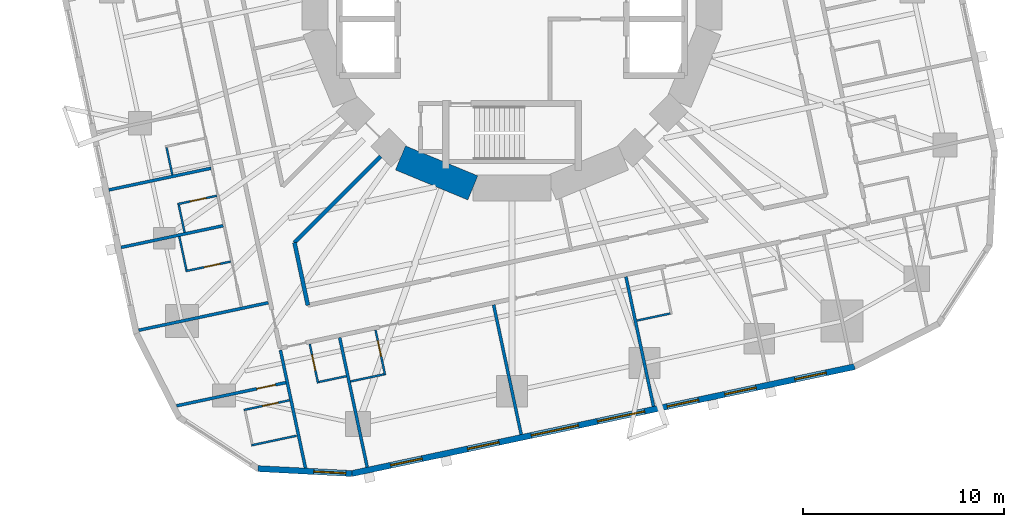
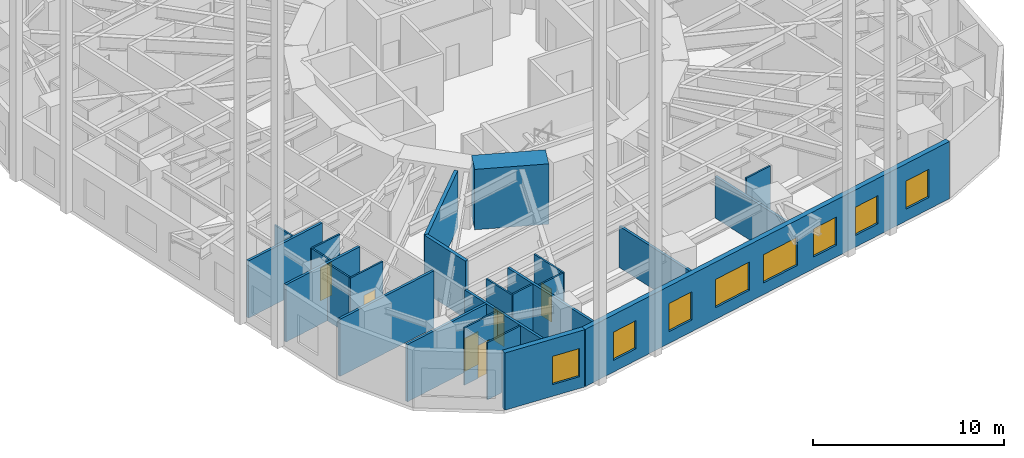
# One storey, part 4 of 12: 25 walls, 8 windows, 6 doors, 14 openings.
"""IFC4 building model written with IfcOpenShell, lengths in metres."""

from ifc_helpers import new_model, si_unit, direction, frame, frame_2d, origin, place, context, subcontext, project, spatial, rectangle, extrude, material, layer, layer_set, type_object, element, fill, save


model = new_model("IFC4")

# Units and contexts
model_context = context("Model", 3, precision=1e-05, world=origin(), true_north=direction((0.0, 1.0)))
body_context = subcontext(model_context, "Body", "Model", "MODEL_VIEW")
ifc_project = project(units=[si_unit("LENGTHUNIT", "METRE"), si_unit("AREAUNIT", "SQUARE_METRE"), si_unit("VOLUMEUNIT", "CUBIC_METRE"), si_unit("PLANEANGLEUNIT", "RADIAN"), si_unit("MASSUNIT", "GRAM", prefix="KILO")], contexts=[model_context])

# Site, building, storey
site_placement = place(None, origin())
site = spatial("IfcSite", under=ifc_project, at=site_placement, CompositionType="ELEMENT")
building_placement = place(site_placement, origin())
building = spatial("IfcBuilding", under=site, at=building_placement, Name="Nakasero Lantern House", CompositionType="ELEMENT")
storey_placement = place(building_placement, frame((0.0, 0.0, 101.14990234375)))
storey = spatial("IfcBuildingStorey", under=building, at=storey_placement, Name="L24", CompositionType="ELEMENT", Elevation=101.14990234375)

# Walls
ifc_material_1 = material(Name="Concrete C50/60", Category="concrete")
ifc_layer_1 = layer(ifc_material_1, 1.300048828125)
ifc_layer_set_1 = layer_set([ifc_layer_1], Name="Core wall 1300")
wall_type_1 = type_object("IfcWallType", Name="Core wall 1300", PredefinedType="SHEAR", material=ifc_layer_set_1)
wall_1_placement = place(storey_placement, frame((-5.5556640625, -8.314697265625, 0.0), z_axis=(0.0, 0.0, 1.0), x_axis=(0.923876507187, -0.382690736062, 0.0)))
element("IfcWall", 1, at=wall_1_placement, inside=storey, type_object=wall_type_1, Name="Core wall L24 facet 11", PredefinedType="SHEAR", context=body_context, shape_type="SweptSolid", body=[
    extrude(rectangle(XDim=3.90185546875, YDim=1.300048828125, at=frame_2d((1.950927734375, 0.0))), origin(), (0.0, 0.0, 1.0), 3.85009765625),
])
ifc_material_2 = material(Name="Blockwork", Category="masonry")
ifc_layer_2 = layer(ifc_material_2, 0.199951171875)
ifc_layer_set_2 = layer_set([ifc_layer_2], Name="Corridor wall 200")
wall_type_2 = type_object("IfcWallType", Name="Corridor wall 200", PredefinedType="PARTITIONING", material=ifc_layer_set_2)
wall_2_placement = place(storey_placement, frame((-10.831787109375, -12.52880859375, 0.0), z_axis=(0.0, 0.0, 1.0), x_axis=(0.2079382126, -0.978141962979, 0.0)))
element("IfcWall", 2, at=wall_2_placement, inside=storey, type_object=wall_type_2, Name="Corridor wall L24 IW2-1", PredefinedType="PARTITIONING", context=body_context, shape_type="SweptSolid", body=[
    extrude(rectangle(XDim=3.197021484375, YDim=0.199951171875, at=frame_2d((1.5986328125, 0.0))), origin(), (0.0, 0.0, 1.0), 3.650146484375),
])
wall_3_placement = place(storey_placement, frame((-6.54638671875, -8.243408203125, 0.0), z_axis=(0.0, 0.0, 1.0), x_axis=(-0.707106781187, -0.707106781187, 0.0)))
element("IfcWall", 3, at=wall_3_placement, inside=storey, type_object=wall_type_2, Name="Corridor wall L24 PS10a", PredefinedType="PARTITIONING", context=body_context, shape_type="SweptSolid", body=[
    extrude(rectangle(XDim=6.060546875, YDim=0.199951171875, at=frame_2d((3.0302734375, 0.0))), origin(), (0.0, 0.0, 1.0), 3.650146484375),
])
ifc_material_3 = material(Name="Blockwork", Category="masonry")
ifc_layer_3 = layer(ifc_material_3, 0.10009765625)
ifc_layer_set_3 = layer_set([ifc_layer_3], Name="En-suite wall 100")
wall_type_3 = type_object("IfcWallType", Name="En-suite wall 100", PredefinedType="PARTITIONING", material=ifc_layer_set_3)
wall_4_placement = place(storey_placement, frame((-17.2060546875, -7.79150390625, 0.0), z_axis=(0.0, 0.0, 1.0), x_axis=(0.207873355681, -0.978155748334, 0.0)))
element("IfcWall", 4, at=wall_4_placement, inside=storey, type_object=wall_type_3, Name="En-suite wall L24 EE2-05", PredefinedType="PARTITIONING", context=body_context, shape_type="SweptSolid", body=[
    extrude(rectangle(XDim=1.39990234375, YDim=0.10009765625, at=frame_2d((0.699951171875, 0.0))), origin(), (0.0, 0.0, 1.0), 3.650146484375),
])

# Wall, opening, door
wall_5_placement = place(storey_placement, frame((-14.70068359375, -10.19970703125, 0.0), z_axis=(0.0, 0.0, 1.0), x_axis=(-0.978152955943, -0.207886494942, 0.0)))
wall_5 = element("IfcWall", 5, at=wall_5_placement, inside=storey, type_object=wall_type_3, Name="En-suite wall L24 ES2-06", PredefinedType="PARTITIONING", context=body_context, shape_type="SweptSolid", body=[
    extrude(rectangle(XDim=2.0, YDim=0.10009765625, at=frame_2d((1.0, 0.0))), origin(), (0.0, 0.0, 1.0), 3.650146484375),
])
opening_1_placement = place(wall_5_placement, frame((0.550048828125, 0.0, 0.0)))
opening_1 = element("IfcOpeningElement", 6, at=opening_1_placement, cuts=wall_5, Name="Opening D02", PredefinedType="OPENING", context=body_context, shape_type="SweptSolid", body=[
    extrude(rectangle(XDim=0.800048828125, YDim=2.10009765625, at=frame_2d((0.39990234375, 1.050048828125))), frame((0.0, 0.070068359375, 0.0), z_axis=(0.0, -1.0, 0.0), x_axis=(1.0, 0.0, 0.0)), (0.0, 0.0, 1.0), 0.14013671875),
])
ifc_material_4 = material(Name="Timber C24", Category="wood")
door_type_1 = type_object("IfcDoorType", Name="En-suite door 800", OperationType="SINGLE_SWING_RIGHT", PredefinedType="DOOR", material=ifc_material_4)
door_1_placement = place(opening_1_placement, origin())
door_1 = element("IfcDoor", 7, at=door_1_placement, inside=storey, type_object=door_type_1, Name="Door L24 DE2-06", OperationType="SINGLE_SWING_LEFT", OverallHeight=2.10009765625, OverallWidth=0.800048828125, PredefinedType="DOOR", context=body_context, shape_type="SweptSolid", body=[
    extrude(rectangle(XDim=0.800048828125, YDim=2.10009765625, at=frame_2d((0.39990234375, 1.050048828125))), frame((0.0, 0.02490234375, 0.0), z_axis=(0.0, -1.0, 0.0), x_axis=(1.0, 0.0, 0.0)), (0.0, 0.0, 1.0), 0.050048828125),
])
fill(opening_1, door_1)

# Wall
wall_6_placement = place(storey_placement, frame((-16.59765625, -10.654052734375, 0.0), z_axis=(0.0, 0.0, 1.0), x_axis=(0.207873355681, -0.978155748334, 0.0)))
element("IfcWall", 8, at=wall_6_placement, inside=storey, type_object=wall_type_3, Name="En-suite wall L24 EE2-06", PredefinedType="PARTITIONING", context=body_context, shape_type="SweptSolid", body=[
    extrude(rectangle(XDim=1.39990234375, YDim=0.10009765625, at=frame_2d((0.699951171875, 0.0))), origin(), (0.0, 0.0, 1.0), 3.650146484375),
])

# Wall, opening, door
wall_7_placement = place(storey_placement, frame((-14.004150390625, -13.476318359375, 0.0), z_axis=(0.0, 0.0, 1.0), x_axis=(-0.978141312374, -0.207941273027, 0.0)))
wall_7 = element("IfcWall", 9, at=wall_7_placement, inside=storey, type_object=wall_type_3, Name="En-suite wall L24 ES2-07", PredefinedType="PARTITIONING", context=body_context, shape_type="SweptSolid", body=[
    extrude(rectangle(XDim=2.300048828125, YDim=0.10009765625, at=frame_2d((1.14990234375, 0.0))), origin(), (0.0, 0.0, 1.0), 3.650146484375),
])
opening_2_placement = place(wall_7_placement, frame((0.550048828125, 0.0, 0.0)))
opening_2 = element("IfcOpeningElement", 10, at=opening_2_placement, cuts=wall_7, Name="Opening D02", PredefinedType="OPENING", context=body_context, shape_type="SweptSolid", body=[
    extrude(rectangle(XDim=0.800048828125, YDim=2.10009765625, at=frame_2d((0.39990234375, 1.050048828125))), frame((0.0, 0.070068359375, 0.0), z_axis=(0.0, -1.0, 0.0), x_axis=(1.0, 0.0, 0.0)), (0.0, 0.0, 1.0), 0.14013671875),
])
door_2_placement = place(opening_2_placement, origin())
door_2 = element("IfcDoor", 11, at=door_2_placement, inside=storey, type_object=door_type_1, Name="Door L24 DE2-07", OperationType="SINGLE_SWING_LEFT", OverallHeight=2.10009765625, OverallWidth=0.800048828125, PredefinedType="DOOR", context=body_context, shape_type="SweptSolid", body=[
    extrude(rectangle(XDim=0.800048828125, YDim=2.10009765625, at=frame_2d((0.39990234375, 1.050048828125))), frame((0.0, 0.02490234375, 0.0), z_axis=(0.0, -1.0, 0.0), x_axis=(1.0, 0.0, 0.0)), (0.0, 0.0, 1.0), 0.050048828125),
])
fill(opening_2, door_2)

# Wall
wall_8_placement = place(storey_placement, frame((-16.56884765625, -12.232421875, 0.0), z_axis=(0.0, 0.0, 1.0), x_axis=(0.207949787024, -0.97813950236, 0.0)))
element("IfcWall", 12, at=wall_8_placement, inside=storey, type_object=wall_type_3, Name="En-suite wall L24 EE2-07", PredefinedType="PARTITIONING", context=body_context, shape_type="SweptSolid", body=[
    extrude(rectangle(XDim=1.699951171875, YDim=0.10009765625, at=frame_2d((0.85009765625, 0.0))), origin(), (0.0, 0.0, 1.0), 3.650146484375),
])

# Wall, opening, door
wall_9_placement = place(storey_placement, frame((-11.069091796875, -20.382568359375, 0.0), z_axis=(0.0, 0.0, 1.0), x_axis=(-0.978136257952, -0.207965047255, 0.0)))
wall_9 = element("IfcWall", 13, at=wall_9_placement, inside=storey, type_object=wall_type_3, Name="En-suite wall L24 ES2-08", PredefinedType="PARTITIONING", context=body_context, shape_type="SweptSolid", body=[
    extrude(rectangle(XDim=2.3349609375, YDim=0.10009765625, at=frame_2d((1.16748046875, 0.0))), origin(), (0.0, 0.0, 1.0), 3.650146484375),
])
opening_3_placement = place(wall_9_placement, frame((0.5849609375, 0.0, 0.0)))
opening_3 = element("IfcOpeningElement", 14, at=opening_3_placement, cuts=wall_9, Name="Opening D02", PredefinedType="OPENING", context=body_context, shape_type="SweptSolid", body=[
    extrude(rectangle(XDim=0.800048828125, YDim=2.10009765625, at=frame_2d((0.39990234375, 1.050048828125))), frame((0.0, 0.070068359375, 0.0), z_axis=(0.0, -1.0, 0.0), x_axis=(1.0, 0.0, 0.0)), (0.0, 0.0, 1.0), 0.14013671875),
])
door_3_placement = place(opening_3_placement, origin())
door_3 = element("IfcDoor", 15, at=door_3_placement, inside=storey, type_object=door_type_1, Name="Door L24 DE2-08", OperationType="SINGLE_SWING_LEFT", OverallHeight=2.10009765625, OverallWidth=0.800048828125, PredefinedType="DOOR", context=body_context, shape_type="SweptSolid", body=[
    extrude(rectangle(XDim=0.800048828125, YDim=2.10009765625, at=frame_2d((0.39990234375, 1.050048828125))), frame((0.0, 0.02490234375, 0.0), z_axis=(0.0, -1.0, 0.0), x_axis=(1.0, 0.0, 0.0)), (0.0, 0.0, 1.0), 0.050048828125),
])
fill(opening_3, door_3)

# Wall
wall_10_placement = place(storey_placement, frame((-10.72900390625, -22.150634765625, 0.0), z_axis=(0.0, 0.0, 1.0), x_axis=(-0.978162897375, -0.207839712757, 0.0)))
element("IfcWall", 16, at=wall_10_placement, inside=storey, type_object=wall_type_3, Name="En-suite wall L24 EV2-08", PredefinedType="PARTITIONING", context=body_context, shape_type="SweptSolid", body=[
    extrude(rectangle(XDim=2.300048828125, YDim=0.10009765625, at=frame_2d((1.14990234375, 0.0))), origin(), (0.0, 0.0, 1.0), 3.650146484375),
])

# Wall, opening, door
wall_11_placement = place(storey_placement, frame((-10.07421875, -17.57861328125, 0.0), z_axis=(0.0, 0.0, 1.0), x_axis=(0.207886494942, -0.978152955943, 0.0)))
wall_11 = element("IfcWall", 17, at=wall_11_placement, inside=storey, type_object=wall_type_3, Name="En-suite wall L24 ES3-00", PredefinedType="PARTITIONING", context=body_context, shape_type="SweptSolid", body=[
    extrude(rectangle(XDim=2.0, YDim=0.10009765625, at=frame_2d((1.0, 0.0))), origin(), (0.0, 0.0, 1.0), 3.650146484375),
])
opening_4_placement = place(wall_11_placement, frame((0.550048828125, 0.0, 0.0)))
opening_4 = element("IfcOpeningElement", 18, at=opening_4_placement, cuts=wall_11, Name="Opening D02", PredefinedType="OPENING", context=body_context, shape_type="SweptSolid", body=[
    extrude(rectangle(XDim=0.800048828125, YDim=2.10009765625, at=frame_2d((0.39990234375, 1.050048828125))), frame((0.0, 0.070068359375, 0.0), z_axis=(0.0, -1.0, 0.0), x_axis=(1.0, 0.0, 0.0)), (0.0, 0.0, 1.0), 0.14013671875),
])
door_4_placement = place(opening_4_placement, origin())
door_4 = element("IfcDoor", 19, at=door_4_placement, inside=storey, type_object=door_type_1, Name="Door L24 DE3-00", OperationType="SINGLE_SWING_LEFT", OverallHeight=2.10009765625, OverallWidth=0.800048828125, PredefinedType="DOOR", context=body_context, shape_type="SweptSolid", body=[
    extrude(rectangle(XDim=0.800048828125, YDim=2.10009765625, at=frame_2d((0.39990234375, 1.050048828125))), frame((0.0, 0.02490234375, 0.0), z_axis=(0.0, -1.0, 0.0), x_axis=(1.0, 0.0, 0.0)), (0.0, 0.0, 1.0), 0.050048828125),
])
fill(opening_4, door_4)

# Wall
wall_12_placement = place(storey_placement, frame((-9.619873046875, -19.4755859375, 0.0), z_axis=(0.0, 0.0, 1.0), x_axis=(0.978155748334, 0.207873355681, 0.0)))
element("IfcWall", 20, at=wall_12_placement, inside=storey, type_object=wall_type_3, Name="En-suite wall L24 EE3-00", PredefinedType="PARTITIONING", context=body_context, shape_type="SweptSolid", body=[
    extrude(rectangle(XDim=1.39990234375, YDim=0.10009765625, at=frame_2d((0.699951171875, 0.0))), origin(), (0.0, 0.0, 1.0), 3.650146484375),
])

# Wall, opening, door
wall_13_placement = place(storey_placement, frame((-6.79736328125, -16.882080078125, 0.0), z_axis=(0.0, 0.0, 1.0), x_axis=(0.207839712757, -0.978162897375, 0.0)))
wall_13 = element("IfcWall", 21, at=wall_13_placement, inside=storey, type_object=wall_type_3, Name="En-suite wall L24 ES3-01", PredefinedType="PARTITIONING", context=body_context, shape_type="SweptSolid", body=[
    extrude(rectangle(XDim=2.300048828125, YDim=0.10009765625, at=frame_2d((1.14990234375, 0.0))), origin(), (0.0, 0.0, 1.0), 3.650146484375),
])
opening_5_placement = place(wall_13_placement, frame((0.550048828125, 0.0, 0.0)))
opening_5 = element("IfcOpeningElement", 22, at=opening_5_placement, cuts=wall_13, Name="Opening D02", PredefinedType="OPENING", context=body_context, shape_type="SweptSolid", body=[
    extrude(rectangle(XDim=0.800048828125, YDim=2.10009765625, at=frame_2d((0.39990234375, 1.050048828125))), frame((0.0, 0.070068359375, 0.0), z_axis=(0.0, -1.0, 0.0), x_axis=(1.0, 0.0, 0.0)), (0.0, 0.0, 1.0), 0.14013671875),
])
door_5_placement = place(opening_5_placement, origin())
door_5 = element("IfcDoor", 23, at=door_5_placement, inside=storey, type_object=door_type_1, Name="Door L24 DE3-01", OperationType="SINGLE_SWING_LEFT", OverallHeight=2.10009765625, OverallWidth=0.800048828125, PredefinedType="DOOR", context=body_context, shape_type="SweptSolid", body=[
    extrude(rectangle(XDim=0.800048828125, YDim=2.10009765625, at=frame_2d((0.39990234375, 1.050048828125))), frame((0.0, 0.02490234375, 0.0), z_axis=(0.0, -1.0, 0.0), x_axis=(1.0, 0.0, 0.0)), (0.0, 0.0, 1.0), 0.050048828125),
])
fill(opening_5, door_5)

# Walls
for number, where, z_axis, x_axis, name in (
    (24, (-8.041259765625, -19.44677734375, 0.0), (0.0, 0.0, 1.0), (0.978168704767, 0.207812379357, 0.0), "En-suite wall L24 EE3-01"),
    (25, (6.216552734375, -16.416259765625, 0.0), (0.0, 0.0, 1.0), (0.97813950236, 0.207949787024, 0.0), "En-suite wall L24 EE3-05"),
):
    element("IfcWall", number, at=place(storey_placement, frame(where, z_axis=z_axis, x_axis=x_axis)), inside=storey, type_object=wall_type_3, Name=name, PredefinedType="PARTITIONING", context=body_context, shape_type="SweptSolid", body=[
        extrude(rectangle(XDim=1.699951171875, YDim=0.10009765625, at=frame_2d((0.85009765625, 0.0))), origin(), (0.0, 0.0, 1.0), 3.650146484375),
    ])

# Wall, opening, window
ifc_material_5 = material(Name="Aluminium rainscreen on blockwork", Category="masonry")
ifc_layer_4 = layer(ifc_material_5, 0.300048828125)
ifc_layer_set_4 = layer_set([ifc_layer_4], Name="Facade wall 300")
wall_type_4 = type_object("IfcWallType", Name="Facade wall 300", PredefinedType="SOLIDWALL", material=ifc_layer_set_4)
wall_14_placement = place(storey_placement, frame((-12.655517578125, -23.78857421875, 0.0), z_axis=(0.0, 0.0, 1.0), x_axis=(0.998630039879, -0.052326317, 0.0)))
wall_14 = element("IfcWall", 26, at=wall_14_placement, inside=storey, type_object=wall_type_4, Name="Facade wall L24 FW2C3", PredefinedType="SOLIDWALL", context=body_context, shape_type="SweptSolid", body=[
    extrude(rectangle(XDim=4.684326171875, YDim=0.300048828125, at=frame_2d((2.34228515625, 0.0))), origin(), (0.0, 0.0, 1.0), 3.650146484375),
])
opening_6_placement = place(wall_14_placement, frame((2.784912109375, 0.0, 0.75)))
opening_6 = element("IfcOpeningElement", 27, at=opening_6_placement, cuts=wall_14, Name="Opening W01", PredefinedType="OPENING", context=body_context, shape_type="SweptSolid", body=[
    extrude(rectangle(XDim=1.60009765625, YDim=1.800048828125, at=frame_2d((0.800048828125, 0.89990234375))), frame((0.0, 0.169921875, 0.0), z_axis=(0.0, -1.0, 0.0), x_axis=(1.0, 0.0, 0.0)), (0.0, 0.0, 1.0), 0.340087890625),
])
ifc_material_6 = material(Name="Aluminium 6063-T6 and glass", Category="aluminium")
window_type_1 = type_object("IfcWindowType", Name="Bedroom window 1600x1800", PartitioningType="SINGLE_PANEL", PredefinedType="WINDOW", material=ifc_material_6)
window_1_placement = place(opening_6_placement, origin())
window_1 = element("IfcWindow", 28, at=window_1_placement, inside=storey, type_object=window_type_1, Name="Window L24 WN3-00", OverallHeight=1.800048828125, OverallWidth=1.60009765625, PartitioningType="SINGLE_PANEL", PredefinedType="WINDOW", context=body_context, shape_type="SweptSolid", body=[
    extrude(rectangle(XDim=1.60009765625, YDim=1.800048828125, at=frame_2d((0.800048828125, 0.89990234375))), frame((0.0, 0.030029296875, 0.0), z_axis=(0.0, -1.0, 0.0), x_axis=(1.0, 0.0, 0.0)), (0.0, 0.0, 1.0), 0.06005859375),
])
fill(opening_6, window_1)

# Wall, openings, windows
wall_15_placement = place(storey_placement, frame((-7.9775390625, -24.03369140625, 0.0), z_axis=(0.0, 0.0, 1.0), x_axis=(0.978148160964, 0.207909055127, 0.0)))
wall_15 = element("IfcWall", 29, at=wall_15_placement, inside=storey, type_object=wall_type_4, Name="Facade wall L24 FW3S", PredefinedType="SOLIDWALL", context=body_context, shape_type="SweptSolid", body=[
    extrude(rectangle(XDim=25.60009765625, YDim=0.300048828125, at=frame_2d((12.800048828125, 0.0))), origin(), (0.0, 0.0, 1.0), 3.650146484375),
])
opening_7_placement = place(wall_15_placement, frame((1.975830078125, 0.0, 0.75)))
opening_7 = element("IfcOpeningElement", 30, at=opening_7_placement, cuts=wall_15, Name="Opening W01", PredefinedType="OPENING", context=body_context, shape_type="SweptSolid", body=[
    extrude(rectangle(XDim=1.60009765625, YDim=1.800048828125, at=frame_2d((0.800048828125, 0.89990234375))), frame((0.0, 0.169921875, 0.0), z_axis=(0.0, -1.0, 0.0), x_axis=(1.0, 0.0, 0.0)), (0.0, 0.0, 1.0), 0.340087890625),
])
opening_8_placement = place(wall_15_placement, frame((5.8955078125, 0.0, 0.75)))
opening_8 = element("IfcOpeningElement", 31, at=opening_8_placement, cuts=wall_15, Name="Opening W01", PredefinedType="OPENING", context=body_context, shape_type="SweptSolid", body=[
    extrude(rectangle(XDim=1.60009765625, YDim=1.800048828125, at=frame_2d((0.800048828125, 0.89990234375))), frame((0.0, 0.169921875, 0.0), z_axis=(0.0, -1.0, 0.0), x_axis=(1.0, 0.0, 0.0)), (0.0, 0.0, 1.0), 0.340087890625),
])
opening_9_placement = place(wall_15_placement, frame((16.0556640625, 0.0, 0.75)))
opening_9 = element("IfcOpeningElement", 32, at=opening_9_placement, cuts=wall_15, Name="Opening W01", PredefinedType="OPENING", context=body_context, shape_type="SweptSolid", body=[
    extrude(rectangle(XDim=1.60009765625, YDim=1.800048828125, at=frame_2d((0.800048828125, 0.89990234375))), frame((0.0, 0.169921875, 0.0), z_axis=(0.0, -1.0, 0.0), x_axis=(1.0, 0.0, 0.0)), (0.0, 0.0, 1.0), 0.340087890625),
])
opening_10_placement = place(wall_15_placement, frame((18.982177734375, 0.0, 0.75)))
opening_10 = element("IfcOpeningElement", 33, at=opening_10_placement, cuts=wall_15, Name="Opening W01", PredefinedType="OPENING", context=body_context, shape_type="SweptSolid", body=[
    extrude(rectangle(XDim=1.60009765625, YDim=1.800048828125, at=frame_2d((0.800048828125, 0.89990234375))), frame((0.0, 0.169921875, 0.0), z_axis=(0.0, -1.0, 0.0), x_axis=(1.0, 0.0, 0.0)), (0.0, 0.0, 1.0), 0.340087890625),
])
opening_11_placement = place(wall_15_placement, frame((22.554443359375, 0.0, 0.75)))
opening_11 = element("IfcOpeningElement", 34, at=opening_11_placement, cuts=wall_15, Name="Opening W01", PredefinedType="OPENING", context=body_context, shape_type="SweptSolid", body=[
    extrude(rectangle(XDim=1.60009765625, YDim=1.800048828125, at=frame_2d((0.800048828125, 0.89990234375))), frame((0.0, 0.169921875, 0.0), z_axis=(0.0, -1.0, 0.0), x_axis=(1.0, 0.0, 0.0)), (0.0, 0.0, 1.0), 0.340087890625),
])
opening_12_placement = place(wall_15_placement, frame((9.139404296875, 0.0, 0.75)))
opening_12 = element("IfcOpeningElement", 35, at=opening_12_placement, cuts=wall_15, Name="Opening W03", PredefinedType="OPENING", context=body_context, shape_type="SweptSolid", body=[
    extrude(rectangle(XDim=2.39990234375, YDim=1.800048828125, at=frame_2d((1.199951171875, 0.89990234375))), frame((0.0, 0.169921875, 0.0), z_axis=(0.0, -1.0, 0.0), x_axis=(1.0, 0.0, 0.0)), (0.0, 0.0, 1.0), 0.340087890625),
])
opening_13_placement = place(wall_15_placement, frame((12.50830078125, 0.0, 0.75)))
opening_13 = element("IfcOpeningElement", 36, at=opening_13_placement, cuts=wall_15, Name="Opening W03", PredefinedType="OPENING", context=body_context, shape_type="SweptSolid", body=[
    extrude(rectangle(XDim=2.39990234375, YDim=1.800048828125, at=frame_2d((1.199951171875, 0.89990234375))), frame((0.0, 0.169921875, 0.0), z_axis=(0.0, -1.0, 0.0), x_axis=(1.0, 0.0, 0.0)), (0.0, 0.0, 1.0), 0.340087890625),
])
window_2_placement = place(opening_7_placement, origin())
window_2 = element("IfcWindow", 37, at=window_2_placement, inside=storey, type_object=window_type_1, Name="Window L24 WN3-01", OverallHeight=1.800048828125, OverallWidth=1.60009765625, PartitioningType="SINGLE_PANEL", PredefinedType="WINDOW", context=body_context, shape_type="SweptSolid", body=[
    extrude(rectangle(XDim=1.60009765625, YDim=1.800048828125, at=frame_2d((0.800048828125, 0.89990234375))), frame((0.0, 0.030029296875, 0.0), z_axis=(0.0, -1.0, 0.0), x_axis=(1.0, 0.0, 0.0)), (0.0, 0.0, 1.0), 0.06005859375),
])
fill(opening_7, window_2)
window_3_placement = place(opening_8_placement, origin())
window_3 = element("IfcWindow", 38, at=window_3_placement, inside=storey, type_object=window_type_1, Name="Window L24 WN3-02", OverallHeight=1.800048828125, OverallWidth=1.60009765625, PartitioningType="SINGLE_PANEL", PredefinedType="WINDOW", context=body_context, shape_type="SweptSolid", body=[
    extrude(rectangle(XDim=1.60009765625, YDim=1.800048828125, at=frame_2d((0.800048828125, 0.89990234375))), frame((0.0, 0.030029296875, 0.0), z_axis=(0.0, -1.0, 0.0), x_axis=(1.0, 0.0, 0.0)), (0.0, 0.0, 1.0), 0.06005859375),
])
fill(opening_8, window_3)
window_4_placement = place(opening_9_placement, origin())
window_4 = element("IfcWindow", 39, at=window_4_placement, inside=storey, type_object=window_type_1, Name="Window L24 WN3-05", OverallHeight=1.800048828125, OverallWidth=1.60009765625, PartitioningType="SINGLE_PANEL", PredefinedType="WINDOW", context=body_context, shape_type="SweptSolid", body=[
    extrude(rectangle(XDim=1.60009765625, YDim=1.800048828125, at=frame_2d((0.800048828125, 0.89990234375))), frame((0.0, 0.030029296875, 0.0), z_axis=(0.0, -1.0, 0.0), x_axis=(1.0, 0.0, 0.0)), (0.0, 0.0, 1.0), 0.06005859375),
])
fill(opening_9, window_4)
window_5_placement = place(opening_10_placement, origin())
window_5 = element("IfcWindow", 40, at=window_5_placement, inside=storey, type_object=window_type_1, Name="Window L24 WN3-06", OverallHeight=1.800048828125, OverallWidth=1.60009765625, PartitioningType="SINGLE_PANEL", PredefinedType="WINDOW", context=body_context, shape_type="SweptSolid", body=[
    extrude(rectangle(XDim=1.60009765625, YDim=1.800048828125, at=frame_2d((0.800048828125, 0.89990234375))), frame((0.0, 0.030029296875, 0.0), z_axis=(0.0, -1.0, 0.0), x_axis=(1.0, 0.0, 0.0)), (0.0, 0.0, 1.0), 0.06005859375),
])
fill(opening_10, window_5)
window_6_placement = place(opening_11_placement, origin())
window_6 = element("IfcWindow", 41, at=window_6_placement, inside=storey, type_object=window_type_1, Name="Window L24 WN3-07", OverallHeight=1.800048828125, OverallWidth=1.60009765625, PartitioningType="SINGLE_PANEL", PredefinedType="WINDOW", context=body_context, shape_type="SweptSolid", body=[
    extrude(rectangle(XDim=1.60009765625, YDim=1.800048828125, at=frame_2d((0.800048828125, 0.89990234375))), frame((0.0, 0.030029296875, 0.0), z_axis=(0.0, -1.0, 0.0), x_axis=(1.0, 0.0, 0.0)), (0.0, 0.0, 1.0), 0.06005859375),
])
fill(opening_11, window_6)
ifc_material_7 = material(Name="Aluminium 6063-T6 and glass", Category="aluminium")
window_type_2 = type_object("IfcWindowType", Name="Lounge window 2400x1800", PartitioningType="SINGLE_PANEL", PredefinedType="WINDOW", material=ifc_material_7)
window_7_placement = place(opening_12_placement, origin())
window_7 = element("IfcWindow", 42, at=window_7_placement, inside=storey, type_object=window_type_2, Name="Window L24 WK3", OverallHeight=1.800048828125, OverallWidth=2.39990234375, PartitioningType="SINGLE_PANEL", PredefinedType="WINDOW", context=body_context, shape_type="SweptSolid", body=[
    extrude(rectangle(XDim=2.39990234375, YDim=1.800048828125, at=frame_2d((1.199951171875, 0.89990234375))), frame((0.0, 0.030029296875, 0.0), z_axis=(0.0, -1.0, 0.0), x_axis=(1.0, 0.0, 0.0)), (0.0, 0.0, 1.0), 0.06005859375),
])
fill(opening_12, window_7)
window_8_placement = place(opening_13_placement, origin())
window_8 = element("IfcWindow", 43, at=window_8_placement, inside=storey, type_object=window_type_2, Name="Window L24 WL3", OverallHeight=1.800048828125, OverallWidth=2.39990234375, PartitioningType="SINGLE_PANEL", PredefinedType="WINDOW", context=body_context, shape_type="SweptSolid", body=[
    extrude(rectangle(XDim=2.39990234375, YDim=1.800048828125, at=frame_2d((1.199951171875, 0.89990234375))), frame((0.0, 0.030029296875, 0.0), z_axis=(0.0, -1.0, 0.0), x_axis=(1.0, 0.0, 0.0)), (0.0, 0.0, 1.0), 0.06005859375),
])
fill(opening_13, window_8)

# Walls
ifc_material_8 = material(Name="Blockwork", Category="masonry")
ifc_layer_5 = layer(ifc_material_8, 0.14990234375)
ifc_layer_set_5 = layer_set([ifc_layer_5], Name="Party wall 150")
wall_type_5 = type_object("IfcWallType", Name="Party wall 150", PredefinedType="PARTITIONING", material=ifc_layer_set_5)
for number, where, z_axis, x_axis, name in (
    (44, (-14.991943359375, -8.828857421875, 0.0), (0.0, 0.0, 1.0), (-0.978151452323, -0.207893569688, 0.0), "Party wall L24 PW2-06"),
    (45, (-14.383544921875, -11.69140625, 0.0), (0.0, 0.0, 1.0), (-0.978151452323, -0.207893569688, 0.0), "Party wall L24 PW2-07"),
):
    element("IfcWall", number, at=place(storey_placement, frame(where, z_axis=z_axis, x_axis=x_axis)), inside=storey, type_object=wall_type_5, Name=name, PredefinedType="PARTITIONING", context=body_context, shape_type="SweptSolid", body=[
        extrude(rectangle(XDim=5.199951171875, YDim=0.14990234375, at=frame_2d((2.60009765625, 0.0))), origin(), (0.0, 0.0, 1.0), 3.650146484375),
    ])
wall_16_placement = place(storey_placement, frame((-12.13720703125, -15.526123046875, 0.0), z_axis=(0.0, 0.0, 1.0), x_axis=(-0.978144841009, -0.207924673876, 0.0)))
element("IfcWall", 46, at=wall_16_placement, inside=storey, type_object=wall_type_5, Name="Party wall L24 PW2-08", PredefinedType="PARTITIONING", context=body_context, shape_type="SweptSolid", body=[
    extrude(rectangle(XDim=6.60009765625, YDim=0.14990234375, at=frame_2d((3.300048828125, 0.0))), origin(), (0.0, 0.0, 1.0), 3.650146484375),
])

# Wall, opening, door
wall_17_placement = place(storey_placement, frame((-11.256103515625, -19.502197265625, 0.0), z_axis=(0.0, 0.0, 1.0), x_axis=(-0.978142361087, -0.207936339891, 0.0)))
wall_17 = element("IfcWall", 47, at=wall_17_placement, inside=storey, type_object=wall_type_5, Name="Party wall L24 PC2", PredefinedType="PARTITIONING", context=body_context, shape_type="SweptSolid", body=[
    extrude(rectangle(XDim=5.570068359375, YDim=0.14990234375, at=frame_2d((2.78515625, 0.0))), origin(), (0.0, 0.0, 1.0), 3.650146484375),
])
opening_14_placement = place(wall_17_placement, frame((0.534912109375, 0.0, 0.0)))
opening_14 = element("IfcOpeningElement", 48, at=opening_14_placement, cuts=wall_17, Name="Opening D01", PredefinedType="OPENING", context=body_context, shape_type="SweptSolid", body=[
    extrude(rectangle(XDim=0.949951171875, YDim=2.10009765625, at=frame_2d((0.47509765625, 1.050048828125))), frame((0.0, 0.094970703125, 0.0), z_axis=(0.0, -1.0, 0.0), x_axis=(1.0, 0.0, 0.0)), (0.0, 0.0, 1.0), 0.18994140625),
])
ifc_material_9 = material(Name="Timber C24", Category="wood")
door_type_2 = type_object("IfcDoorType", Name="Bedroom door FD30S 950", OperationType="SINGLE_SWING_LEFT", PredefinedType="DOOR", material=ifc_material_9)
door_6_placement = place(opening_14_placement, origin())
door_6 = element("IfcDoor", 49, at=door_6_placement, inside=storey, type_object=door_type_2, Name="Door L24 DC2", OperationType="SINGLE_SWING_LEFT", OverallHeight=2.10009765625, OverallWidth=0.949951171875, PredefinedType="DOOR", context=body_context, shape_type="SweptSolid", body=[
    extrude(rectangle(XDim=0.949951171875, YDim=2.10009765625, at=frame_2d((0.47509765625, 1.050048828125))), frame((0.0, 0.02490234375, 0.0), z_axis=(0.0, -1.0, 0.0), x_axis=(1.0, 0.0, 0.0)), (0.0, 0.0, 1.0), 0.050048828125),
])
fill(opening_14, door_6)

# Walls
wall_18_placement = place(storey_placement, frame((-11.53271484375, -17.888671875, 0.0), z_axis=(0.0, 0.0, 1.0), x_axis=(0.207886494942, -0.978152955943, 0.0)))
element("IfcWall", 50, at=wall_18_placement, inside=storey, type_object=wall_type_5, Name="Party wall L24 PW3-00", PredefinedType="PARTITIONING", context=body_context, shape_type="SweptSolid", body=[
    extrude(rectangle(XDim=6.0, YDim=0.14990234375, at=frame_2d((3.0, 0.0))), origin(), (0.0, 0.0, 1.0), 3.650146484375),
])
wall_19_placement = place(storey_placement, frame((-8.58251953125, -17.26171875, 0.0), z_axis=(0.0, 0.0, 1.0), x_axis=(0.207932197326, -0.978143241716, 0.0)))
element("IfcWall", 51, at=wall_19_placement, inside=storey, type_object=wall_type_5, Name="Party wall L24 PW3-01", PredefinedType="PARTITIONING", context=body_context, shape_type="SweptSolid", body=[
    extrude(rectangle(XDim=6.599853515625, YDim=0.14990234375, at=frame_2d((3.2998046875, 0.0))), origin(), (0.0, 0.0, 1.0), 3.650146484375),
])
wall_20_placement = place(storey_placement, frame((-0.914794921875, -15.6318359375, 0.0), z_axis=(0.0, 0.0, 1.0), x_axis=(0.207924673876, -0.978144841009, 0.0)))
element("IfcWall", 52, at=wall_20_placement, inside=storey, type_object=wall_type_5, Name="Party wall L24 PW3-03", PredefinedType="PARTITIONING", context=body_context, shape_type="SweptSolid", body=[
    extrude(rectangle(XDim=6.60009765625, YDim=0.14990234375, at=frame_2d((3.300048828125, 0.0))), origin(), (0.0, 0.0, 1.0), 2.63427734375),
])
wall_21_placement = place(storey_placement, frame((5.67529296875, -14.23095703125, 0.0), z_axis=(0.0, 0.0, 1.0), x_axis=(0.207924673876, -0.978144841009, 0.0)))
element("IfcWall", 53, at=wall_21_placement, inside=storey, type_object=wall_type_5, Name="Party wall L24 PW3-05", PredefinedType="PARTITIONING", context=body_context, shape_type="SweptSolid", body=[
    extrude(rectangle(XDim=6.60009765625, YDim=0.14990234375, at=frame_2d((3.300048828125, 0.0))), origin(), (0.0, 0.0, 1.0), 2.650146484375),
])

save(model, "model.ifc")
